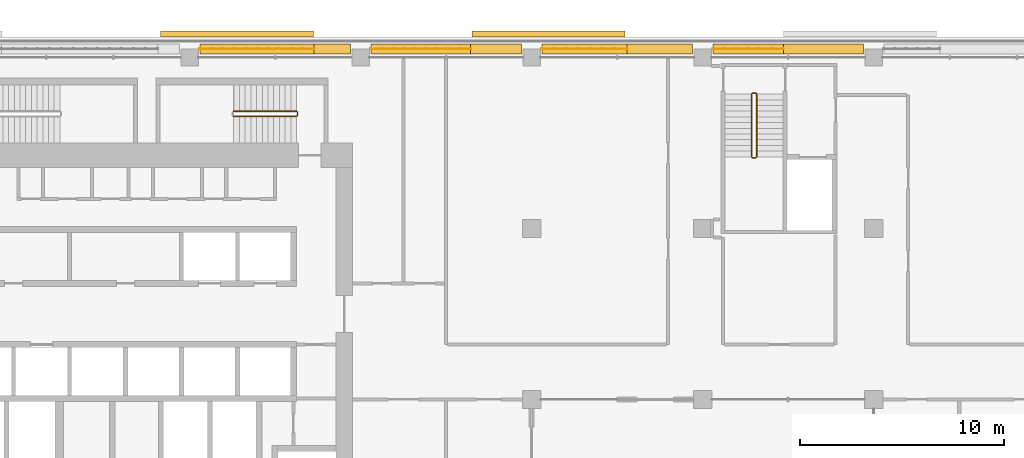
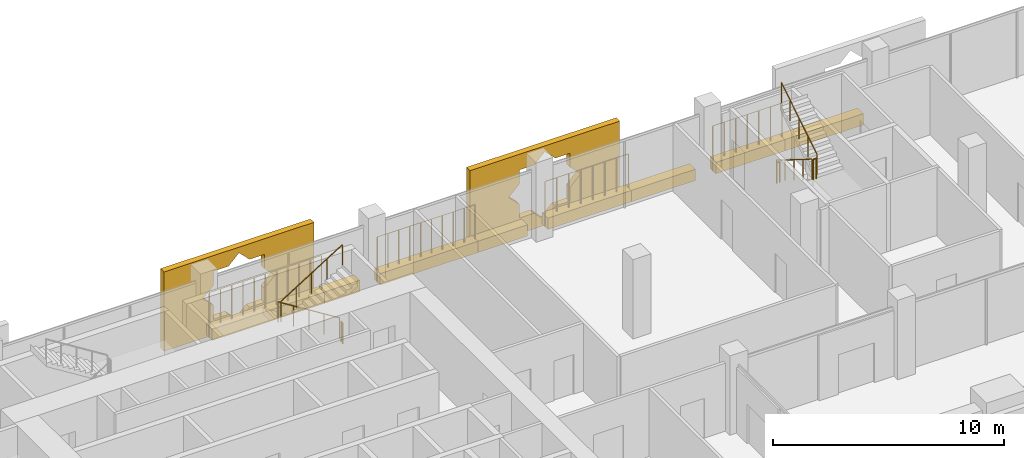
# One storey, part 23 of 24: 11 railings, 10 coverings.
"""IFC4 building model written with IfcOpenShell, lengths in metres."""

from ifc_helpers import new_model, si_unit, direction, frame, origin, origin_2d, place, context, subcontext, project, spatial, polyline, rectangle, circle, outline, extrude, material, material_profile, profile_set, type_object, element, save


model = new_model("IFC4")

# Units and contexts
model_context = context("Model", 3, precision=1e-05, world=origin(), true_north=direction((0.0, 1.0)))
body_context = subcontext(model_context, "Body", "Model", "MODEL_VIEW")
ifc_project = project(units=[si_unit("LENGTHUNIT", "METRE"), si_unit("AREAUNIT", "SQUARE_METRE"), si_unit("VOLUMEUNIT", "CUBIC_METRE"), si_unit("PLANEANGLEUNIT", "RADIAN"), si_unit("MASSUNIT", "GRAM", prefix="KILO")], contexts=[model_context])

# Site, building, storey
site_placement = place(None, origin())
site = spatial("IfcSite", under=ifc_project, at=site_placement, CompositionType="ELEMENT")
building_placement = place(site_placement, origin())
building = spatial("IfcBuilding", under=site, at=building_placement, Name="Kawkab Arch Medical Tower", CompositionType="ELEMENT")
storey_placement = place(building_placement, frame((0.0, 0.0, 218.0)))
storey = spatial("IfcBuildingStorey", under=building, at=storey_placement, Name="L50", CompositionType="ELEMENT", Elevation=218.0)

# Coverings
ifc_material_1 = material(Name="Bronze anodised aluminium mashrabiya panel, eight-point star pattern", Category="aluminium")
ifc_material_profile_1 = material_profile(ifc_material_1, outline(polyline([(-3.75, -2.10009765625), (3.75, -2.10009765625), (3.75, 2.10009765625), (-3.75, 2.10009765625), (-3.75, -2.10009765625)]), holes=[polyline([(1.800048828125, 0.0), (1.272705078125, 0.527099609375), (1.272705078125, 1.272705078125), (0.527099609375, 1.272705078125), (0.0, 1.800048828125), (-0.527099609375, 1.272705078125), (-1.272705078125, 1.272705078125), (-1.272705078125, 0.527099609375), (-1.800048828125, 0.0), (-1.272705078125, -0.527099609375), (-1.272705078125, -1.272705078125), (-0.527099609375, -1.272705078125), (0.0, -1.800048828125), (0.527099609375, -1.272705078125), (1.272705078125, -1.272705078125), (1.272705078125, -0.527099609375), (1.800048828125, 0.0)])]), Name="Mashrabiya panel 7500x4200")
ifc_profile_set_1 = profile_set([ifc_material_profile_1], Name="Bronze anodised aluminium mashrabiya panel, eight-point star pattern")
covering_type_1 = type_object("IfcCoveringType", Name="Mashrabiya panel 7500 x 4200", PredefinedType="USERDEFINED", material=ifc_profile_set_1)
for number, where, z_axis, x_axis, name in (
    (1, (19.124267578125, 1.0, 1.699951171875), (0.0, 1.0, 0.0), (-1.0, 0.0, 0.0), "Mashrabiya panel L50.LOG-01-01.4"),
    (2, (34.42529296875, 1.0, 1.699951171875), (0.0, 1.0, 0.0), (-1.0, 0.0, 0.0), "Mashrabiya panel L50.LOG-01-01.5"),
):
    element("IfcCovering", number, at=place(storey_placement, frame(where, z_axis=z_axis, x_axis=x_axis)), inside=storey, type_object=covering_type_1, Name=name, ObjectType="SCREEN", PredefinedType="USERDEFINED", context=body_context, shape_type="SweptSolid", body=[
        extrude(outline(polyline([(-3.75, -2.10009765625), (3.75, -2.10009765625), (3.75, 2.10009765625), (-3.75, 2.10009765625), (-3.75, -2.10009765625)]), holes=[polyline([(1.800048828125, 0.0), (1.272705078125, 0.527099609375), (1.272705078125, 1.272705078125), (0.527099609375, 1.272705078125), (0.0, 1.800048828125), (-0.527099609375, 1.272705078125), (-1.272705078125, 1.272705078125), (-1.272705078125, 0.527099609375), (-1.800048828125, 0.0), (-1.272705078125, -0.527099609375), (-1.272705078125, -1.272705078125), (-0.527099609375, -1.272705078125), (0.0, -1.800048828125), (0.527099609375, -1.272705078125), (1.272705078125, -1.272705078125), (1.272705078125, -0.527099609375), (1.800048828125, 0.0)])]), origin(), (0.0, 0.0, 1.0), 0.300048828125),
    ])
ifc_material_2 = material(Name="Planting soil in a precast trough", Category="concrete")
ifc_material_profile_2 = material_profile(ifc_material_2, rectangle(XDim=0.5, YDim=0.60009765625, at=origin_2d()), Name="Trough 500x600")
ifc_profile_set_2 = profile_set([ifc_material_profile_2], Name="Planting soil in a precast trough")
covering_type_2 = type_object("IfcCoveringType", Name="Planter trough 500 x 600", PredefinedType="USERDEFINED", material=ifc_profile_set_2)
covering_1_placement = place(storey_placement, frame((17.304931640625, 0.419921875, 0.300048828125), z_axis=(1.0, 0.0, 0.0), x_axis=(0.0, 1.0, 0.0)))
element("IfcCovering", 3, at=covering_1_placement, inside=storey, type_object=covering_type_2, Name="Planter L50.LOG-01-01.15", ObjectType="PLANTER", PredefinedType="USERDEFINED", context=body_context, shape_type="SweptSolid", body=[
    extrude(rectangle(XDim=0.5, YDim=0.60009765625, at=origin_2d()), origin(), (0.0, 0.0, 1.0), 5.614013671875),
])
covering_2_placement = place(storey_placement, frame((22.9189453125, 0.419921875, 0.300048828125), z_axis=(1.0, 0.0, 0.0), x_axis=(0.0, 1.0, 0.0)))
element("IfcCovering", 4, at=covering_2_placement, inside=storey, type_object=covering_type_2, Name="Planter L50.LOG-01-01.16", ObjectType="PLANTER", PredefinedType="USERDEFINED", context=body_context, shape_type="SweptSolid", body=[
    extrude(rectangle(XDim=0.5, YDim=0.60009765625, at=origin_2d()), origin(), (0.0, 0.0, 1.0), 1.776123046875),
])
covering_3_placement = place(storey_placement, frame((25.705078125, 0.419921875, 0.300048828125), z_axis=(1.0, 0.0, 0.0), x_axis=(0.0, 1.0, 0.0)))
element("IfcCovering", 5, at=covering_3_placement, inside=storey, type_object=covering_type_2, Name="Planter L50.LOG-01-01.17", ObjectType="PLANTER", PredefinedType="USERDEFINED", context=body_context, shape_type="SweptSolid", body=[
    extrude(rectangle(XDim=0.5, YDim=0.60009765625, at=origin_2d()), origin(), (0.0, 0.0, 1.0), 4.89501953125),
])
covering_4_placement = place(storey_placement, frame((30.60009765625, 0.419921875, 0.300048828125), z_axis=(1.0, 0.0, 0.0), x_axis=(0.0, 1.0, 0.0)))
element("IfcCovering", 6, at=covering_4_placement, inside=storey, type_object=covering_type_2, Name="Planter L50.LOG-01-01.18", ObjectType="PLANTER", PredefinedType="USERDEFINED", context=body_context, shape_type="SweptSolid", body=[
    extrude(rectangle(XDim=0.5, YDim=0.60009765625, at=origin_2d()), origin(), (0.0, 0.0, 1.0), 2.494873046875),
])
covering_5_placement = place(storey_placement, frame((34.10498046875, 0.419921875, 0.300048828125), z_axis=(1.0, 0.0, 0.0), x_axis=(0.0, 1.0, 0.0)))
element("IfcCovering", 7, at=covering_5_placement, inside=storey, type_object=covering_type_2, Name="Planter L50.LOG-01-01.19", ObjectType="PLANTER", PredefinedType="USERDEFINED", context=body_context, shape_type="SweptSolid", body=[
    extrude(rectangle(XDim=0.5, YDim=0.60009765625, at=origin_2d()), origin(), (0.0, 0.0, 1.0), 4.176025390625),
])
covering_6_placement = place(storey_placement, frame((38.281005859375, 0.419921875, 0.300048828125), z_axis=(1.0, 0.0, 0.0), x_axis=(0.0, 1.0, 0.0)))
element("IfcCovering", 8, at=covering_6_placement, inside=storey, type_object=covering_type_2, Name="Planter L50.LOG-01-01.20", ObjectType="PLANTER", PredefinedType="USERDEFINED", context=body_context, shape_type="SweptSolid", body=[
    extrude(rectangle(XDim=0.5, YDim=0.60009765625, at=origin_2d()), origin(), (0.0, 0.0, 1.0), 3.214111328125),
])
covering_7_placement = place(storey_placement, frame((42.5048828125, 0.419921875, 0.300048828125), z_axis=(1.0, 0.0, 0.0), x_axis=(0.0, 1.0, 0.0)))
element("IfcCovering", 9, at=covering_7_placement, inside=storey, type_object=covering_type_2, Name="Planter L50.LOG-01-01.21", ObjectType="PLANTER", PredefinedType="USERDEFINED", context=body_context, shape_type="SweptSolid", body=[
    extrude(rectangle(XDim=0.5, YDim=0.60009765625, at=origin_2d()), origin(), (0.0, 0.0, 1.0), 3.4580078125),
])
covering_8_placement = place(storey_placement, frame((45.962890625, 0.419921875, 0.300048828125), z_axis=(1.0, 0.0, 0.0), x_axis=(0.0, 1.0, 0.0)))
element("IfcCovering", 10, at=covering_8_placement, inside=storey, type_object=covering_type_2, Name="Planter L50.LOG-01-01.22", ObjectType="PLANTER", PredefinedType="USERDEFINED", context=body_context, shape_type="SweptSolid", body=[
    extrude(rectangle(XDim=0.5, YDim=0.60009765625, at=origin_2d()), origin(), (0.0, 0.0, 1.0), 3.93212890625),
])

# Railings
ifc_material_3 = material(Name="Bronze anodised aluminium trellis for climbing plants", Category="aluminium")
railing_type_1 = type_object("IfcRailingType", Name="Planting trellis 2400", PredefinedType="USERDEFINED", material=ifc_material_3)
railing_1_placement = place(storey_placement, frame((17.304931640625, 0.419921875, 0.0)))
element("IfcRailing", 11, at=railing_1_placement, inside=storey, type_object=railing_type_1, Name="Planting trellis L50.LOG-01-01.15", ObjectType="TRELLIS", PredefinedType="USERDEFINED", context=body_context, shape_type="SweptSolid", body=[
    extrude(circle(Radius=0.01513671875, at=origin_2d()), frame((0.0, 0.0, 2.384765625), z_axis=(1.0, 0.0, 0.0), x_axis=(0.0, 1.0, 0.0)), (0.0, 0.0, 1.0), 5.614013671875),
    extrude(circle(Radius=0.030029296875, at=origin_2d()), origin(), (0.0, 0.0, 1.0), 2.369873046875),
    extrude(circle(Radius=0.030029296875, at=origin_2d()), frame((0.5615234375, 0.0, 0.0)), (0.0, 0.0, 1.0), 2.369873046875),
    extrude(circle(Radius=0.030029296875, at=origin_2d()), frame((1.122802734375, 0.0, 0.0)), (0.0, 0.0, 1.0), 2.369873046875),
    extrude(circle(Radius=0.030029296875, at=origin_2d()), frame((1.68408203125, 0.0, 0.0)), (0.0, 0.0, 1.0), 2.369873046875),
    extrude(circle(Radius=0.030029296875, at=origin_2d()), frame((2.24560546875, 0.0, 0.0)), (0.0, 0.0, 1.0), 2.369873046875),
    extrude(circle(Radius=0.030029296875, at=origin_2d()), frame((2.80712890625, 0.0, 0.0)), (0.0, 0.0, 1.0), 2.369873046875),
    extrude(circle(Radius=0.030029296875, at=origin_2d()), frame((3.368408203125, 0.0, 0.0)), (0.0, 0.0, 1.0), 2.369873046875),
    extrude(circle(Radius=0.030029296875, at=origin_2d()), frame((3.9296875, 0.0, 0.0)), (0.0, 0.0, 1.0), 2.369873046875),
    extrude(circle(Radius=0.030029296875, at=origin_2d()), frame((4.4912109375, 0.0, 0.0)), (0.0, 0.0, 1.0), 2.369873046875),
    extrude(circle(Radius=0.030029296875, at=origin_2d()), frame((5.052734375, 0.0, 0.0)), (0.0, 0.0, 1.0), 2.369873046875),
    extrude(circle(Radius=0.030029296875, at=origin_2d()), frame((5.614013671875, 0.0, 0.0)), (0.0, 0.0, 1.0), 2.369873046875),
])
railing_2_placement = place(storey_placement, frame((25.705078125, 0.419921875, 0.0)))
element("IfcRailing", 12, at=railing_2_placement, inside=storey, type_object=railing_type_1, Name="Planting trellis L50.LOG-01-01.17", ObjectType="TRELLIS", PredefinedType="USERDEFINED", context=body_context, shape_type="SweptSolid", body=[
    extrude(circle(Radius=0.01513671875, at=origin_2d()), frame((0.0, 0.0, 2.384765625), z_axis=(1.0, 0.0, 0.0), x_axis=(0.0, 1.0, 0.0)), (0.0, 0.0, 1.0), 4.89501953125),
    extrude(circle(Radius=0.030029296875, at=origin_2d()), origin(), (0.0, 0.0, 1.0), 2.369873046875),
    extrude(circle(Radius=0.030029296875, at=origin_2d()), frame((0.5439453125, 0.0, 0.0)), (0.0, 0.0, 1.0), 2.369873046875),
    extrude(circle(Radius=0.030029296875, at=origin_2d()), frame((1.087890625, 0.0, 0.0)), (0.0, 0.0, 1.0), 2.369873046875),
    extrude(circle(Radius=0.030029296875, at=origin_2d()), frame((1.631591796875, 0.0, 0.0)), (0.0, 0.0, 1.0), 2.369873046875),
    extrude(circle(Radius=0.030029296875, at=origin_2d()), frame((2.175537109375, 0.0, 0.0)), (0.0, 0.0, 1.0), 2.369873046875),
    extrude(circle(Radius=0.030029296875, at=origin_2d()), frame((2.719482421875, 0.0, 0.0)), (0.0, 0.0, 1.0), 2.369873046875),
    extrude(circle(Radius=0.030029296875, at=origin_2d()), frame((3.263427734375, 0.0, 0.0)), (0.0, 0.0, 1.0), 2.369873046875),
    extrude(circle(Radius=0.030029296875, at=origin_2d()), frame((3.80712890625, 0.0, 0.0)), (0.0, 0.0, 1.0), 2.369873046875),
    extrude(circle(Radius=0.030029296875, at=origin_2d()), frame((4.35107421875, 0.0, 0.0)), (0.0, 0.0, 1.0), 2.369873046875),
    extrude(circle(Radius=0.030029296875, at=origin_2d()), frame((4.89501953125, 0.0, 0.0)), (0.0, 0.0, 1.0), 2.369873046875),
])
railing_3_placement = place(storey_placement, frame((34.10498046875, 0.419921875, 0.0)))
element("IfcRailing", 13, at=railing_3_placement, inside=storey, type_object=railing_type_1, Name="Planting trellis L50.LOG-01-01.19", ObjectType="TRELLIS", PredefinedType="USERDEFINED", context=body_context, shape_type="SweptSolid", body=[
    extrude(circle(Radius=0.01513671875, at=origin_2d()), frame((0.0, 0.0, 2.384765625), z_axis=(1.0, 0.0, 0.0), x_axis=(0.0, 1.0, 0.0)), (0.0, 0.0, 1.0), 4.176025390625),
    extrude(circle(Radius=0.030029296875, at=origin_2d()), origin(), (0.0, 0.0, 1.0), 2.369873046875),
    extrude(circle(Radius=0.030029296875, at=origin_2d()), frame((0.5966796875, 0.0, 0.0)), (0.0, 0.0, 1.0), 2.369873046875),
    extrude(circle(Radius=0.030029296875, at=origin_2d()), frame((1.193115234375, 0.0, 0.0)), (0.0, 0.0, 1.0), 2.369873046875),
    extrude(circle(Radius=0.030029296875, at=origin_2d()), frame((1.789794921875, 0.0, 0.0)), (0.0, 0.0, 1.0), 2.369873046875),
    extrude(circle(Radius=0.030029296875, at=origin_2d()), frame((2.38623046875, 0.0, 0.0)), (0.0, 0.0, 1.0), 2.369873046875),
    extrude(circle(Radius=0.030029296875, at=origin_2d()), frame((2.98291015625, 0.0, 0.0)), (0.0, 0.0, 1.0), 2.369873046875),
    extrude(circle(Radius=0.030029296875, at=origin_2d()), frame((3.579345703125, 0.0, 0.0)), (0.0, 0.0, 1.0), 2.369873046875),
    extrude(circle(Radius=0.030029296875, at=origin_2d()), frame((4.176025390625, 0.0, 0.0)), (0.0, 0.0, 1.0), 2.369873046875),
])
railing_4_placement = place(storey_placement, frame((42.5048828125, 0.419921875, 0.0)))
element("IfcRailing", 14, at=railing_4_placement, inside=storey, type_object=railing_type_1, Name="Planting trellis L50.LOG-01-01.21", ObjectType="TRELLIS", PredefinedType="USERDEFINED", context=body_context, shape_type="SweptSolid", body=[
    extrude(circle(Radius=0.01513671875, at=origin_2d()), frame((0.0, 0.0, 2.384765625), z_axis=(1.0, 0.0, 0.0), x_axis=(0.0, 1.0, 0.0)), (0.0, 0.0, 1.0), 3.4580078125),
    extrude(circle(Radius=0.030029296875, at=origin_2d()), origin(), (0.0, 0.0, 1.0), 2.369873046875),
    extrude(circle(Radius=0.030029296875, at=origin_2d()), frame((0.576416015625, 0.0, 0.0)), (0.0, 0.0, 1.0), 2.369873046875),
    extrude(circle(Radius=0.030029296875, at=origin_2d()), frame((1.152587890625, 0.0, 0.0)), (0.0, 0.0, 1.0), 2.369873046875),
    extrude(circle(Radius=0.030029296875, at=origin_2d()), frame((1.72900390625, 0.0, 0.0)), (0.0, 0.0, 1.0), 2.369873046875),
    extrude(circle(Radius=0.030029296875, at=origin_2d()), frame((2.305419921875, 0.0, 0.0)), (0.0, 0.0, 1.0), 2.369873046875),
    extrude(circle(Radius=0.030029296875, at=origin_2d()), frame((2.881591796875, 0.0, 0.0)), (0.0, 0.0, 1.0), 2.369873046875),
    extrude(circle(Radius=0.030029296875, at=origin_2d()), frame((3.4580078125, 0.0, 0.0)), (0.0, 0.0, 1.0), 2.369873046875),
])
ifc_material_4 = material(Name="Stainless steel", Category="steel")
railing_type_2 = type_object("IfcRailingType", Name="Stair guard 1100", PredefinedType="GUARDRAIL", material=ifc_material_4)
railing_5_placement = place(storey_placement, frame((22.050048828125, -2.64990234375, 0.175048828125)))
element("IfcRailing", 15, at=railing_5_placement, inside=storey, type_object=railing_type_2, Name="L50 ST4 stair guard 1", PredefinedType="GUARDRAIL", context=body_context, shape_type="SweptSolid", body=[
    extrude(circle(Radius=0.02392578125, at=origin_2d()), frame((0.0, 0.0, 1.076171875), z_axis=(-0.847998304005, 0.0, 0.529998940003), x_axis=(0.0, -1.0, 0.0)), (0.0, 0.0, 1.0), 3.632080078125),
    extrude(circle(Radius=0.02099609375, at=origin_2d()), origin(), (0.0, 0.0, 1.0), 1.052001953125),
    extrude(circle(Radius=0.02099609375, at=origin_2d()), frame((-0.77001953125, 0.0, 0.481201171875)), (0.0, 0.0, 1.0), 1.052001953125),
    extrude(circle(Radius=0.02099609375, at=origin_2d()), frame((-1.5400390625, 0.0, 0.96240234375)), (0.0, 0.0, 1.0), 1.052001953125),
    extrude(circle(Radius=0.02099609375, at=origin_2d()), frame((-2.31005859375, 0.0, 1.44384765625)), (0.0, 0.0, 1.0), 1.052001953125),
    extrude(circle(Radius=0.02099609375, at=origin_2d()), frame((-3.080078125, 0.0, 1.925048828125)), (0.0, 0.0, 1.0), 1.052001953125),
])
railing_6_placement = place(storey_placement, frame((18.969970703125, -2.89990234375, 2.27490234375)))
element("IfcRailing", 16, at=railing_6_placement, inside=storey, type_object=railing_type_2, Name="L50 ST4 stair guard 3", PredefinedType="GUARDRAIL", context=body_context, shape_type="SweptSolid", body=[
    extrude(circle(Radius=0.02392578125, at=origin_2d()), frame((0.0, 0.0, 1.076171875), z_axis=(0.847998304005, 0.0, 0.529998940003), x_axis=(0.0, 1.0, 0.0)), (0.0, 0.0, 1.0), 3.632080078125),
    extrude(circle(Radius=0.02099609375, at=origin_2d()), origin(), (0.0, 0.0, 1.0), 1.052001953125),
    extrude(circle(Radius=0.02099609375, at=origin_2d()), frame((0.77001953125, 0.0, 0.481201171875)), (0.0, 0.0, 1.0), 1.052001953125),
    extrude(circle(Radius=0.02099609375, at=origin_2d()), frame((1.5400390625, 0.0, 0.96240234375)), (0.0, 0.0, 1.0), 1.052001953125),
    extrude(circle(Radius=0.02099609375, at=origin_2d()), frame((2.31005859375, 0.0, 1.44384765625)), (0.0, 0.0, 1.0), 1.052001953125),
    extrude(circle(Radius=0.02099609375, at=origin_2d()), frame((3.080078125, 0.0, 1.925048828125)), (0.0, 0.0, 1.0), 1.052001953125),
])
railing_7_placement = place(storey_placement, frame((22.10009765625, -2.699951171875, 0.0)))
element("IfcRailing", 17, at=railing_7_placement, inside=storey, type_object=railing_type_2, Name="L50 ST4 stair guard 4", PredefinedType="GUARDRAIL", context=body_context, shape_type="SweptSolid", body=[
    extrude(circle(Radius=0.02392578125, at=origin_2d()), frame((0.0, 0.0, 1.076171875), z_axis=(0.0, -1.0, 0.0), x_axis=(1.0, 0.0, 0.0)), (0.0, 0.0, 1.0), 0.150146484375),
    extrude(circle(Radius=0.02099609375, at=origin_2d()), origin(), (0.0, 0.0, 1.0), 1.052001953125),
    extrude(circle(Radius=0.02099609375, at=origin_2d()), frame((0.0, -0.150146484375, 0.0)), (0.0, 0.0, 1.0), 1.052001953125),
])
railing_8_placement = place(storey_placement, frame((44.39990234375, -1.800048828125, 0.175048828125)))
element("IfcRailing", 18, at=railing_8_placement, inside=storey, type_object=railing_type_2, Name="L50 ST5 stair guard 1", PredefinedType="GUARDRAIL", context=body_context, shape_type="SweptSolid", body=[
    extrude(circle(Radius=0.02392578125, at=origin_2d()), frame((0.0, 0.0, 1.076171875), z_axis=(0.0, -0.847979421464, 0.530029150871), x_axis=(1.0, 0.0, 0.0)), (0.0, 0.0, 1.0), 3.632080078125),
    extrude(circle(Radius=0.02099609375, at=origin_2d()), origin(), (0.0, 0.0, 1.0), 1.052001953125),
    extrude(circle(Radius=0.02099609375, at=origin_2d()), frame((0.0, -0.77001953125, 0.481201171875)), (0.0, 0.0, 1.0), 1.052001953125),
    extrude(circle(Radius=0.02099609375, at=origin_2d()), frame((0.0, -1.5400390625, 0.96240234375)), (0.0, 0.0, 1.0), 1.052001953125),
    extrude(circle(Radius=0.02099609375, at=origin_2d()), frame((0.0, -2.309814453125, 1.44384765625)), (0.0, 0.0, 1.0), 1.052001953125),
    extrude(circle(Radius=0.02099609375, at=origin_2d()), frame((0.0, -3.079833984375, 1.925048828125)), (0.0, 0.0, 1.0), 1.052001953125),
])
railing_9_placement = place(storey_placement, frame((44.449951171875, -4.929931640625, 2.10009765625)))
element("IfcRailing", 19, at=railing_9_placement, inside=storey, type_object=railing_type_2, Name="L50 ST5 stair guard 2", PredefinedType="GUARDRAIL", context=body_context, shape_type="SweptSolid", body=[
    extrude(circle(Radius=0.02392578125, at=origin_2d()), frame((0.0, 0.0, 1.076171875), z_axis=(1.0, 0.0, 0.0), x_axis=(0.0, 1.0, 0.0)), (0.0, 0.0, 1.0), 0.150146484375),
    extrude(circle(Radius=0.02099609375, at=origin_2d()), origin(), (0.0, 0.0, 1.0), 1.052001953125),
    extrude(circle(Radius=0.02099609375, at=origin_2d()), frame((0.150146484375, 0.0, 0.0)), (0.0, 0.0, 1.0), 1.052001953125),
])
railing_10_placement = place(storey_placement, frame((44.64990234375, -4.8798828125, 2.27490234375)))
element("IfcRailing", 20, at=railing_10_placement, inside=storey, type_object=railing_type_2, Name="L50 ST5 stair guard 3", PredefinedType="GUARDRAIL", context=body_context, shape_type="SweptSolid", body=[
    extrude(circle(Radius=0.02392578125, at=origin_2d()), frame((0.0, 0.0, 1.076171875), z_axis=(0.0, 0.847979421464, 0.530029150871), x_axis=(-1.0, 0.0, 0.0)), (0.0, 0.0, 1.0), 3.632080078125),
    extrude(circle(Radius=0.02099609375, at=origin_2d()), origin(), (0.0, 0.0, 1.0), 1.052001953125),
    extrude(circle(Radius=0.02099609375, at=origin_2d()), frame((0.0, 0.77001953125, 0.481201171875)), (0.0, 0.0, 1.0), 1.052001953125),
    extrude(circle(Radius=0.02099609375, at=origin_2d()), frame((0.0, 1.5400390625, 0.96240234375)), (0.0, 0.0, 1.0), 1.052001953125),
    extrude(circle(Radius=0.02099609375, at=origin_2d()), frame((0.0, 2.309814453125, 1.44384765625)), (0.0, 0.0, 1.0), 1.052001953125),
    extrude(circle(Radius=0.02099609375, at=origin_2d()), frame((0.0, 3.079833984375, 1.925048828125)), (0.0, 0.0, 1.0), 1.052001953125),
])
railing_11_placement = place(storey_placement, frame((44.449951171875, -1.75, 0.0)))
element("IfcRailing", 21, at=railing_11_placement, inside=storey, type_object=railing_type_2, Name="L50 ST5 stair guard 4", PredefinedType="GUARDRAIL", context=body_context, shape_type="SweptSolid", body=[
    extrude(circle(Radius=0.02392578125, at=origin_2d()), frame((0.0, 0.0, 1.076171875), z_axis=(1.0, 0.0, 0.0), x_axis=(0.0, 1.0, 0.0)), (0.0, 0.0, 1.0), 0.150146484375),
    extrude(circle(Radius=0.02099609375, at=origin_2d()), origin(), (0.0, 0.0, 1.0), 1.052001953125),
    extrude(circle(Radius=0.02099609375, at=origin_2d()), frame((0.150146484375, 0.0, 0.0)), (0.0, 0.0, 1.0), 1.052001953125),
])

save(model, "model.ifc")
